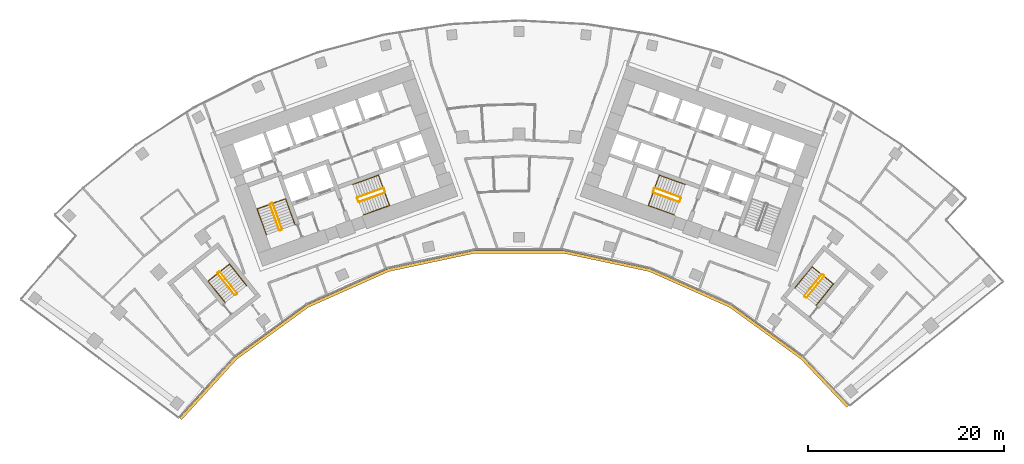
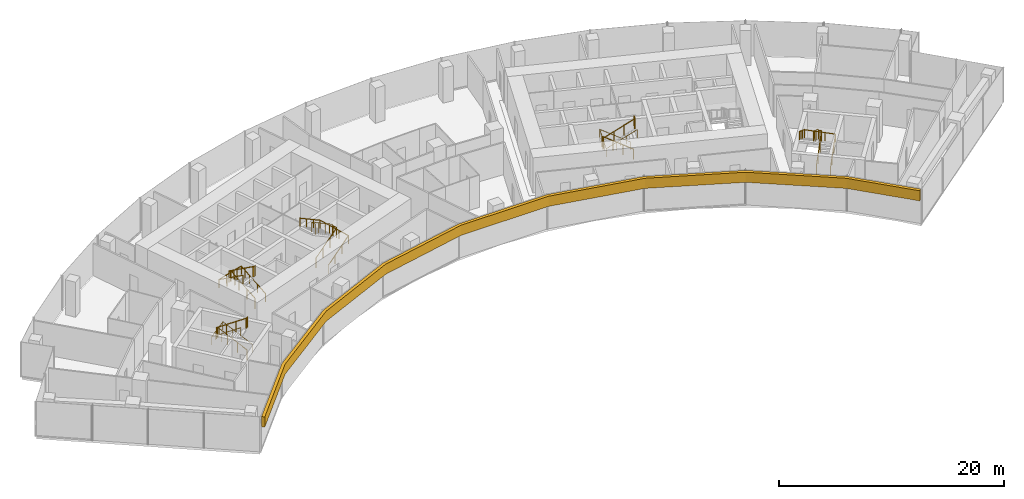
# One storey, part 20 of 21: 15 railings, 1 covering.
"""IFC4 building model written with IfcOpenShell, lengths in metres."""

from ifc_helpers import new_model, si_unit, direction, frame, origin, origin_2d, place, context, subcontext, project, spatial, polyline, circle, outline, extrude, material, layer, layer_set, type_object, element, save


model = new_model("IFC4")

# Units and contexts
model_context = context("Model", 3, precision=1e-05, world=origin(), true_north=direction((0.0, 1.0)))
body_context = subcontext(model_context, "Body", "Model", "MODEL_VIEW")
ifc_project = project(units=[si_unit("LENGTHUNIT", "METRE"), si_unit("AREAUNIT", "SQUARE_METRE"), si_unit("VOLUMEUNIT", "CUBIC_METRE"), si_unit("PLANEANGLEUNIT", "RADIAN"), si_unit("MASSUNIT", "GRAM", prefix="KILO")], contexts=[model_context])

# Site, building, storey
site_placement = place(None, origin())
site = spatial("IfcSite", under=ifc_project, at=site_placement, CompositionType="ELEMENT")
building_placement = place(site_placement, origin())
building = spatial("IfcBuilding", under=site, at=building_placement, Name="Stone Belt Terrace Tower", CompositionType="ELEMENT")
storey_placement = place(building_placement, frame((0.0, 0.0, 163.0)))
storey = spatial("IfcBuildingStorey", under=building, at=storey_placement, Name="L39", CompositionType="ELEMENT", Elevation=163.0)

# Railings
ifc_material_1 = material(Name="Structural steel C345", Category="steel")
railing_type_1 = type_object("IfcRailingType", Name="Stair guard 1100", PredefinedType="GUARDRAIL", material=ifc_material_1)
railing_1_placement = place(storey_placement, frame((-24.2119140625, 45.276123046875, 0.172607421875)))
element("IfcRailing", 1, at=railing_1_placement, inside=storey, type_object=railing_type_1, Name="L39 ST1A stair guard 1", PredefinedType="GUARDRAIL", context=body_context, shape_type="SweptSolid", body=[
    extrude(circle(Radius=0.02392578125, at=origin_2d()), frame((0.0, 0.0, 1.076171875), z_axis=(-0.288228637646, 0.800791768495, 0.525030280985), x_axis=(-0.940908529223, -0.338660803216, 0.0)), (0.0, 0.0, 1.0), 3.289794921875),
    extrude(circle(Radius=0.02392578125, at=origin_2d()), frame((-0.9482421875, 2.634521484375, 2.80322265625), z_axis=(-0.905209821074, 0.424964916, 0.0), x_axis=(-0.424964916, -0.905209821074, 0.0)), (0.0, 0.0, 1.0), 0.070556640625),
    extrude(circle(Radius=0.02392578125, at=origin_2d()), frame((-1.01220703125, 2.66455078125, 2.80322265625), z_axis=(-0.941105063269, -0.338114270461, 0.0), x_axis=(0.338114270461, -0.941105063269, 0.0)), (0.0, 0.0, 1.0), 0.199951171875),
    extrude(circle(Radius=0.02099609375, at=origin_2d()), origin(), (0.0, 0.0, 1.0), 1.052001953125),
    extrude(circle(Radius=0.02099609375, at=origin_2d()), frame((-0.316162109375, 0.878173828125, 0.57568359375)), (0.0, 0.0, 1.0), 1.052001953125),
    extrude(circle(Radius=0.02099609375, at=origin_2d()), frame((-0.632080078125, 1.75634765625, 1.151611328125)), (0.0, 0.0, 1.0), 1.052001953125),
    extrude(circle(Radius=0.02099609375, at=origin_2d()), frame((-0.9482421875, 2.634521484375, 1.727294921875)), (0.0, 0.0, 1.0), 1.052001953125),
    extrude(circle(Radius=0.02099609375, at=origin_2d()), frame((-1.01220703125, 2.66455078125, 1.727294921875)), (0.0, 0.0, 1.0), 1.052001953125),
    extrude(circle(Radius=0.02099609375, at=origin_2d()), frame((-1.200439453125, 2.596923828125, 1.727294921875)), (0.0, 0.0, 1.0), 1.052001953125),
])
railing_2_placement = place(storey_placement, frame((-25.4423828125, 47.80908203125, 2.07275390625)))
element("IfcRailing", 2, at=railing_2_placement, inside=storey, type_object=railing_type_1, Name="L39 ST1A stair guard 2", PredefinedType="GUARDRAIL", context=body_context, shape_type="SweptSolid", body=[
    extrude(circle(Radius=0.02392578125, at=origin_2d()), frame((0.0, 0.0, 1.076171875), z_axis=(0.288228637646, -0.800791768495, 0.525030280985), x_axis=(0.940908529223, 0.338660803216, 0.0)), (0.0, 0.0, 1.0), 3.289794921875),
    extrude(circle(Radius=0.02392578125, at=origin_2d()), frame((0.9482421875, -2.634521484375, 2.80322265625), z_axis=(0.903878284585, -0.427789722475, 0.0), x_axis=(0.427789722475, 0.903878284585, 0.0)), (0.0, 0.0, 1.0), 0.07080078125),
    extrude(circle(Radius=0.02392578125, at=origin_2d()), frame((1.01220703125, -2.664794921875, 2.80322265625), z_axis=(0.940575576748, 0.339584429008, 0.0), x_axis=(-0.339584429008, 0.940575576748, 0.0)), (0.0, 0.0, 1.0), 0.199951171875),
    extrude(circle(Radius=0.02099609375, at=origin_2d()), origin(), (0.0, 0.0, 1.0), 1.052001953125),
    extrude(circle(Radius=0.02099609375, at=origin_2d()), frame((0.316162109375, -0.878173828125, 0.57568359375)), (0.0, 0.0, 1.0), 1.052001953125),
    extrude(circle(Radius=0.02099609375, at=origin_2d()), frame((0.632080078125, -1.75634765625, 1.151611328125)), (0.0, 0.0, 1.0), 1.052001953125),
    extrude(circle(Radius=0.02099609375, at=origin_2d()), frame((0.9482421875, -2.634521484375, 1.727294921875)), (0.0, 0.0, 1.0), 1.052001953125),
    extrude(circle(Radius=0.02099609375, at=origin_2d()), frame((1.01220703125, -2.664794921875, 1.727294921875)), (0.0, 0.0, 1.0), 1.052001953125),
    extrude(circle(Radius=0.02099609375, at=origin_2d()), frame((1.2001953125, -2.596923828125, 1.727294921875)), (0.0, 0.0, 1.0), 1.052001953125),
])
railing_3_placement = place(storey_placement, frame((-16.33837890625, 48.056640625, 0.172607421875)))
element("IfcRailing", 3, at=railing_3_placement, inside=storey, type_object=railing_type_1, Name="L39 ST2A stair guard 1", PredefinedType="GUARDRAIL", context=body_context, shape_type="SweptSolid", body=[
    extrude(circle(Radius=0.02392578125, at=origin_2d()), frame((0.0, 0.0, 1.076171875), z_axis=(0.800808895155, 0.288160591223, 0.52504150989), x_axis=(-0.338583606334, 0.940936311087, 0.0)), (0.0, 0.0, 1.0), 3.289794921875),
    extrude(circle(Radius=0.02392578125, at=origin_2d()), frame((2.634521484375, 0.947998046875, 2.80322265625), z_axis=(0.427789722475, 0.903878284585, 0.0), x_axis=(-0.903878284585, 0.427789722475, 0.0)), (0.0, 0.0, 1.0), 0.07080078125),
    extrude(circle(Radius=0.02392578125, at=origin_2d()), frame((2.664794921875, 1.011962890625, 2.80322265625), z_axis=(-0.338654645739, 0.940910745459, 0.0), x_axis=(-0.940910745459, -0.338654645739, 0.0)), (0.0, 0.0, 1.0), 0.400146484375),
    extrude(circle(Radius=0.02099609375, at=origin_2d()), origin(), (0.0, 0.0, 1.0), 1.052001953125),
    extrude(circle(Radius=0.02099609375, at=origin_2d()), frame((0.878173828125, 0.31591796875, 0.57568359375)), (0.0, 0.0, 1.0), 1.052001953125),
    extrude(circle(Radius=0.02099609375, at=origin_2d()), frame((1.75634765625, 0.632080078125, 1.151611328125)), (0.0, 0.0, 1.0), 1.052001953125),
    extrude(circle(Radius=0.02099609375, at=origin_2d()), frame((2.634521484375, 0.947998046875, 1.727294921875)), (0.0, 0.0, 1.0), 1.052001953125),
    extrude(circle(Radius=0.02099609375, at=origin_2d()), frame((2.664794921875, 1.011962890625, 1.727294921875)), (0.0, 0.0, 1.0), 1.052001953125),
    extrude(circle(Radius=0.02099609375, at=origin_2d()), frame((2.529296875, 1.388427734375, 1.727294921875)), (0.0, 0.0, 1.0), 1.052001953125),
])
railing_4_placement = place(storey_placement, frame((-13.873046875, 49.47509765625, 2.07275390625)))
element("IfcRailing", 4, at=railing_4_placement, inside=storey, type_object=railing_type_1, Name="L39 ST2A stair guard 2", PredefinedType="GUARDRAIL", context=body_context, shape_type="SweptSolid", body=[
    extrude(circle(Radius=0.02392578125, at=origin_2d()), frame((0.0, 0.0, 1.076171875), z_axis=(-0.800808895155, -0.288160591223, 0.52504150989), x_axis=(0.338583606334, -0.940936311087, 0.0)), (0.0, 0.0, 1.0), 3.289794921875),
    extrude(circle(Radius=0.02392578125, at=origin_2d()), frame((-2.634521484375, -0.947998046875, 2.80322265625), z_axis=(-0.427789722475, -0.903878284585, 0.0), x_axis=(0.903878284585, -0.427789722475, 0.0)), (0.0, 0.0, 1.0), 0.07080078125),
    extrude(circle(Radius=0.02392578125, at=origin_2d()), frame((-2.664794921875, -1.011962890625, 2.80322265625), z_axis=(0.338654645739, -0.940910745459, 0.0), x_axis=(0.940910745459, 0.338654645739, 0.0)), (0.0, 0.0, 1.0), 0.400146484375),
    extrude(circle(Radius=0.02099609375, at=origin_2d()), origin(), (0.0, 0.0, 1.0), 1.052001953125),
    extrude(circle(Radius=0.02099609375, at=origin_2d()), frame((-0.878173828125, -0.31591796875, 0.57568359375)), (0.0, 0.0, 1.0), 1.052001953125),
    extrude(circle(Radius=0.02099609375, at=origin_2d()), frame((-1.75634765625, -0.632080078125, 1.151611328125)), (0.0, 0.0, 1.0), 1.052001953125),
    extrude(circle(Radius=0.02099609375, at=origin_2d()), frame((-2.634521484375, -0.947998046875, 1.727294921875)), (0.0, 0.0, 1.0), 1.052001953125),
    extrude(circle(Radius=0.02099609375, at=origin_2d()), frame((-2.664794921875, -1.011962890625, 1.727294921875)), (0.0, 0.0, 1.0), 1.052001953125),
    extrude(circle(Radius=0.02099609375, at=origin_2d()), frame((-2.529296875, -1.388427734375, 1.727294921875)), (0.0, 0.0, 1.0), 1.052001953125),
])
railing_5_placement = place(storey_placement, frame((16.507568359375, 48.527099609375, 0.172607421875)))
element("IfcRailing", 5, at=railing_5_placement, inside=storey, type_object=railing_type_1, Name="L39 ST2B stair guard 1", PredefinedType="GUARDRAIL", context=body_context, shape_type="SweptSolid", body=[
    extrude(circle(Radius=0.02392578125, at=origin_2d()), frame((0.0, 0.0, 1.076171875), z_axis=(-0.800808895155, 0.288160591223, 0.52504150989), x_axis=(-0.338583606334, -0.940936311087, 0.0)), (0.0, 0.0, 1.0), 3.289794921875),
    extrude(circle(Radius=0.02392578125, at=origin_2d()), frame((-2.634521484375, 0.947998046875, 2.80322265625), z_axis=(-0.905209821074, -0.424964916, 0.0), x_axis=(0.424964916, -0.905209821074, 0.0)), (0.0, 0.0, 1.0), 0.070556640625),
    extrude(circle(Radius=0.02392578125, at=origin_2d()), frame((-2.698486328125, 0.91796875, 2.80322265625), z_axis=(-0.338654645739, -0.940910745459, 0.0), x_axis=(0.940910745459, -0.338654645739, 0.0)), (0.0, 0.0, 1.0), 0.400146484375),
    extrude(circle(Radius=0.02099609375, at=origin_2d()), origin(), (0.0, 0.0, 1.0), 1.052001953125),
    extrude(circle(Radius=0.02099609375, at=origin_2d()), frame((-0.878173828125, 0.31591796875, 0.57568359375)), (0.0, 0.0, 1.0), 1.052001953125),
    extrude(circle(Radius=0.02099609375, at=origin_2d()), frame((-1.75634765625, 0.632080078125, 1.151611328125)), (0.0, 0.0, 1.0), 1.052001953125),
    extrude(circle(Radius=0.02099609375, at=origin_2d()), frame((-2.634521484375, 0.947998046875, 1.727294921875)), (0.0, 0.0, 1.0), 1.052001953125),
    extrude(circle(Radius=0.02099609375, at=origin_2d()), frame((-2.698486328125, 0.91796875, 1.727294921875)), (0.0, 0.0, 1.0), 1.052001953125),
    extrude(circle(Radius=0.02099609375, at=origin_2d()), frame((-2.833984375, 0.54150390625, 1.727294921875)), (0.0, 0.0, 1.0), 1.052001953125),
])
railing_6_placement = place(storey_placement, frame((13.703857421875, 49.004638671875, 2.07275390625)))
element("IfcRailing", 6, at=railing_6_placement, inside=storey, type_object=railing_type_1, Name="L39 ST2B stair guard 2", PredefinedType="GUARDRAIL", context=body_context, shape_type="SweptSolid", body=[
    extrude(circle(Radius=0.02392578125, at=origin_2d()), frame((0.0, 0.0, 1.076171875), z_axis=(0.800808895155, -0.288160591223, 0.52504150989), x_axis=(0.338583606334, 0.940936311087, 0.0)), (0.0, 0.0, 1.0), 3.289794921875),
    extrude(circle(Radius=0.02392578125, at=origin_2d()), frame((2.634521484375, -0.947998046875, 2.80322265625), z_axis=(0.905209821074, 0.424964916, 0.0), x_axis=(-0.424964916, 0.905209821074, 0.0)), (0.0, 0.0, 1.0), 0.070556640625),
    extrude(circle(Radius=0.02392578125, at=origin_2d()), frame((2.698486328125, -0.91796875, 2.80322265625), z_axis=(0.338654645739, 0.940910745459, 0.0), x_axis=(-0.940910745459, 0.338654645739, 0.0)), (0.0, 0.0, 1.0), 0.400146484375),
    extrude(circle(Radius=0.02099609375, at=origin_2d()), origin(), (0.0, 0.0, 1.0), 1.052001953125),
    extrude(circle(Radius=0.02099609375, at=origin_2d()), frame((0.878173828125, -0.31591796875, 0.57568359375)), (0.0, 0.0, 1.0), 1.052001953125),
    extrude(circle(Radius=0.02099609375, at=origin_2d()), frame((1.75634765625, -0.632080078125, 1.151611328125)), (0.0, 0.0, 1.0), 1.052001953125),
    extrude(circle(Radius=0.02099609375, at=origin_2d()), frame((2.634521484375, -0.947998046875, 1.727294921875)), (0.0, 0.0, 1.0), 1.052001953125),
    extrude(circle(Radius=0.02099609375, at=origin_2d()), frame((2.698486328125, -0.91796875, 1.727294921875)), (0.0, 0.0, 1.0), 1.052001953125),
    extrude(circle(Radius=0.02099609375, at=origin_2d()), frame((2.833984375, -0.54150390625, 1.727294921875)), (0.0, 0.0, 1.0), 1.052001953125),
])
railing_7_placement = place(storey_placement, frame((-28.814208984375, 38.734619140625, 0.172607421875)))
element("IfcRailing", 7, at=railing_7_placement, inside=storey, type_object=railing_type_1, Name="L39 ST3A stair guard 1", PredefinedType="GUARDRAIL", context=body_context, shape_type="SweptSolid", body=[
    extrude(circle(Radius=0.02392578125, at=origin_2d()), frame((0.0, 0.0, 1.076171875), z_axis=(-0.530306321799, 0.665665785969, 0.525037395288), x_axis=(-0.782143211408, -0.623098705543, 0.0)), (0.0, 0.0, 1.0), 3.289794921875),
    extrude(circle(Radius=0.02392578125, at=origin_2d()), frame((-1.74462890625, 2.18994140625, 2.80322265625), z_axis=(-0.993883734674, 0.110431526075, 0.0), x_axis=(-0.110431526075, -0.993883734674, 0.0)), (0.0, 0.0, 1.0), 0.07080078125),
    extrude(circle(Radius=0.02392578125, at=origin_2d()), frame((-1.81494140625, 2.19775390625, 2.80322265625), z_axis=(-0.782533463299, -0.622608527742, 0.0), x_axis=(0.622608527742, -0.782533463299, 0.0)), (0.0, 0.0, 1.0), 0.199951171875),
    extrude(circle(Radius=0.02099609375, at=origin_2d()), origin(), (0.0, 0.0, 1.0), 1.052001953125),
    extrude(circle(Radius=0.02099609375, at=origin_2d()), frame((-0.58154296875, 0.72998046875, 0.57568359375)), (0.0, 0.0, 1.0), 1.052001953125),
    extrude(circle(Radius=0.02099609375, at=origin_2d()), frame((-1.1630859375, 1.4599609375, 1.151611328125)), (0.0, 0.0, 1.0), 1.052001953125),
    extrude(circle(Radius=0.02099609375, at=origin_2d()), frame((-1.74462890625, 2.18994140625, 1.727294921875)), (0.0, 0.0, 1.0), 1.052001953125),
    extrude(circle(Radius=0.02099609375, at=origin_2d()), frame((-1.81494140625, 2.19775390625, 1.727294921875)), (0.0, 0.0, 1.0), 1.052001953125),
    extrude(circle(Radius=0.02099609375, at=origin_2d()), frame((-1.971435546875, 2.0732421875, 1.727294921875)), (0.0, 0.0, 1.0), 1.052001953125),
])
railing_8_placement = place(storey_placement, frame((-30.793701171875, 40.737548828125, 2.07275390625)))
element("IfcRailing", 8, at=railing_8_placement, inside=storey, type_object=railing_type_1, Name="L39 ST3A stair guard 2", PredefinedType="GUARDRAIL", context=body_context, shape_type="SweptSolid", body=[
    extrude(circle(Radius=0.02392578125, at=origin_2d()), frame((0.0, 0.0, 1.076171875), z_axis=(0.530359659125, -0.665639588968, 0.525016732659), x_axis=(0.782100716982, 0.62315204284, 0.0)), (0.0, 0.0, 1.0), 3.2900390625),
    extrude(circle(Radius=0.02392578125, at=origin_2d()), frame((1.744873046875, -2.18994140625, 2.80322265625), z_axis=(0.993499272973, -0.113838458361, 0.0), x_axis=(0.113838458361, 0.993499272973, 0.0)), (0.0, 0.0, 1.0), 0.07080078125),
    extrude(circle(Radius=0.02392578125, at=origin_2d()), frame((1.815185546875, -2.197998046875, 2.80322265625), z_axis=(0.781464082609, 0.623950228458, 0.0), x_axis=(-0.623950228458, 0.781464082609, 0.0)), (0.0, 0.0, 1.0), 0.199951171875),
    extrude(circle(Radius=0.02099609375, at=origin_2d()), origin(), (0.0, 0.0, 1.0), 1.052001953125),
    extrude(circle(Radius=0.02099609375, at=origin_2d()), frame((0.58154296875, -0.72998046875, 0.57568359375)), (0.0, 0.0, 1.0), 1.052001953125),
    extrude(circle(Radius=0.02099609375, at=origin_2d()), frame((1.163330078125, -1.4599609375, 1.151611328125)), (0.0, 0.0, 1.0), 1.052001953125),
    extrude(circle(Radius=0.02099609375, at=origin_2d()), frame((1.744873046875, -2.18994140625, 1.727294921875)), (0.0, 0.0, 1.0), 1.052001953125),
    extrude(circle(Radius=0.02099609375, at=origin_2d()), frame((1.815185546875, -2.197998046875, 1.727294921875)), (0.0, 0.0, 1.0), 1.052001953125),
    extrude(circle(Radius=0.02099609375, at=origin_2d()), frame((1.971435546875, -2.0732421875, 1.727294921875)), (0.0, 0.0, 1.0), 1.052001953125),
])
railing_9_placement = place(storey_placement, frame((29.39794921875, 38.281982421875, 0.172607421875)))
element("IfcRailing", 9, at=railing_9_placement, inside=storey, type_object=railing_type_1, Name="L39 ST3B stair guard 1", PredefinedType="GUARDRAIL", context=body_context, shape_type="SweptSolid", body=[
    extrude(circle(Radius=0.02392578125, at=origin_2d()), frame((0.0, 0.0, 1.076171875), z_axis=(0.536393061503, 0.660769759217, 0.525038864158), x_axis=(-0.776391310223, 0.630251166924, 0.0)), (0.0, 0.0, 1.0), 3.289794921875),
    extrude(circle(Radius=0.02392578125, at=origin_2d()), frame((1.7646484375, 2.173828125, 2.80322265625), z_axis=(-0.103251414163, 0.994655289773, 0.0), x_axis=(-0.994655289773, -0.103251414163, 0.0)), (0.0, 0.0, 1.0), 0.071044921875),
    extrude(circle(Radius=0.02392578125, at=origin_2d()), frame((1.75732421875, 2.244384765625, 2.80322265625), z_axis=(-0.776561986372, 0.630040856868, 0.0), x_axis=(-0.630040856868, -0.776561986372, 0.0)), (0.0, 0.0, 1.0), 0.199951171875),
    extrude(circle(Radius=0.02099609375, at=origin_2d()), origin(), (0.0, 0.0, 1.0), 1.052001953125),
    extrude(circle(Radius=0.02099609375, at=origin_2d()), frame((0.588134765625, 0.724609375, 0.57568359375)), (0.0, 0.0, 1.0), 1.052001953125),
    extrude(circle(Radius=0.02099609375, at=origin_2d()), frame((1.176513671875, 1.44921875, 1.151611328125)), (0.0, 0.0, 1.0), 1.052001953125),
    extrude(circle(Radius=0.02099609375, at=origin_2d()), frame((1.7646484375, 2.173828125, 1.727294921875)), (0.0, 0.0, 1.0), 1.052001953125),
    extrude(circle(Radius=0.02099609375, at=origin_2d()), frame((1.75732421875, 2.244384765625, 1.727294921875)), (0.0, 0.0, 1.0), 1.052001953125),
    extrude(circle(Radius=0.02099609375, at=origin_2d()), frame((1.60205078125, 2.370361328125, 1.727294921875)), (0.0, 0.0, 1.0), 1.052001953125),
])
railing_10_placement = place(storey_placement, frame((30.9296875, 40.64501953125, 2.07275390625)))
element("IfcRailing", 10, at=railing_10_placement, inside=storey, type_object=railing_type_1, Name="L39 ST3B stair guard 2", PredefinedType="GUARDRAIL", context=body_context, shape_type="SweptSolid", body=[
    extrude(circle(Radius=0.02392578125, at=origin_2d()), frame((0.0, 0.0, 1.076171875), z_axis=(-0.536366759382, -0.660811565066, 0.525013118792), x_axis=(0.776425942316, -0.630208502084, 0.0)), (0.0, 0.0, 1.0), 3.2900390625),
    extrude(circle(Radius=0.02392578125, at=origin_2d()), frame((-1.7646484375, -2.174072265625, 2.80322265625), z_axis=(0.103606084259, -0.994618408891, 0.0), x_axis=(0.994618408891, 0.103606084259, 0.0)), (0.0, 0.0, 1.0), 0.07080078125),
    extrude(circle(Radius=0.02392578125, at=origin_2d()), frame((-1.75732421875, -2.244384765625, 2.80322265625), z_axis=(0.776561986372, -0.630040856868, 0.0), x_axis=(0.630040856868, 0.776561986372, 0.0)), (0.0, 0.0, 1.0), 0.199951171875),
    extrude(circle(Radius=0.02099609375, at=origin_2d()), origin(), (0.0, 0.0, 1.0), 1.052001953125),
    extrude(circle(Radius=0.02099609375, at=origin_2d()), frame((-0.588134765625, -0.724609375, 0.57568359375)), (0.0, 0.0, 1.0), 1.052001953125),
    extrude(circle(Radius=0.02099609375, at=origin_2d()), frame((-1.176513671875, -1.449462890625, 1.151611328125)), (0.0, 0.0, 1.0), 1.052001953125),
    extrude(circle(Radius=0.02099609375, at=origin_2d()), frame((-1.7646484375, -2.174072265625, 1.727294921875)), (0.0, 0.0, 1.0), 1.052001953125),
    extrude(circle(Radius=0.02099609375, at=origin_2d()), frame((-1.75732421875, -2.244384765625, 1.727294921875)), (0.0, 0.0, 1.0), 1.052001953125),
    extrude(circle(Radius=0.02099609375, at=origin_2d()), frame((-1.60205078125, -2.370361328125, 1.727294921875)), (0.0, 0.0, 1.0), 1.052001953125),
])
railing_type_2 = type_object("IfcRailingType", Name="Stair handrail 900", PredefinedType="HANDRAIL", material=ifc_material_1)
railing_11_placement = place(storey_placement, frame((-22.894775390625, 45.750244140625, 0.172607421875)))
element("IfcRailing", 11, at=railing_11_placement, inside=storey, type_object=railing_type_2, Name="L39 ST1A stair handrail 1", PredefinedType="HANDRAIL", context=body_context, shape_type="SweptSolid", body=[
    extrude(circle(Radius=0.02392578125, at=origin_2d()), frame((0.0, 0.0, 0.8759765625), z_axis=(-0.288160591223, 0.800808895155, 0.52504150989), x_axis=(-0.940936311087, -0.338583606334, 0.0)), (0.0, 0.0, 1.0), 3.289794921875),
    extrude(circle(Radius=0.02392578125, at=origin_2d()), frame((-0.947998046875, 2.634521484375, 2.60302734375), z_axis=(-0.939460408074, -0.338105101667, 0.055669398135), x_axis=(0.338630230244, -0.940919532779, 0.0)), (0.0, 0.0, 1.0), 3.10498046875),
    extrude(circle(Radius=0.02392578125, at=origin_2d()), frame((-3.864990234375, 1.584716796875, 2.77587890625), z_axis=(0.288228637646, -0.800791768495, 0.525030280985), x_axis=(0.940908529223, 0.338660803216, 0.0)), (0.0, 0.0, 1.0), 3.289794921875),
    extrude(circle(Radius=0.02099609375, at=origin_2d()), origin(), (0.0, 0.0, 1.0), 0.851806640625),
    extrude(circle(Radius=0.02099609375, at=origin_2d()), frame((-0.31591796875, 0.878173828125, 0.57568359375)), (0.0, 0.0, 1.0), 0.851806640625),
    extrude(circle(Radius=0.02099609375, at=origin_2d()), frame((-0.632080078125, 1.75634765625, 1.151611328125)), (0.0, 0.0, 1.0), 0.851806640625),
    extrude(circle(Radius=0.02099609375, at=origin_2d()), frame((-0.947998046875, 2.634521484375, 1.727294921875)), (0.0, 0.0, 1.0), 0.851806640625),
    extrude(circle(Radius=0.02099609375, at=origin_2d()), frame((-1.92041015625, 2.28466796875, 1.784912109375)), (0.0, 0.0, 1.0), 0.851806640625),
    extrude(circle(Radius=0.02099609375, at=origin_2d()), frame((-2.892578125, 1.9345703125, 1.842529296875)), (0.0, 0.0, 1.0), 0.851806640625),
    extrude(circle(Radius=0.02099609375, at=origin_2d()), frame((-3.864990234375, 1.584716796875, 1.900146484375)), (0.0, 0.0, 1.0), 0.851806640625),
    extrude(circle(Radius=0.02099609375, at=origin_2d()), frame((-3.548828125, 0.70654296875, 2.475830078125)), (0.0, 0.0, 1.0), 0.851806640625),
    extrude(circle(Radius=0.02099609375, at=origin_2d()), frame((-3.23291015625, -0.171630859375, 3.0517578125)), (0.0, 0.0, 1.0), 0.851806640625),
    extrude(circle(Radius=0.02099609375, at=origin_2d()), frame((-2.916748046875, -1.0498046875, 3.62744140625)), (0.0, 0.0, 1.0), 0.851806640625),
])
railing_12_placement = place(storey_placement, frame((-15.8642578125, 46.7392578125, 0.172607421875)))
element("IfcRailing", 12, at=railing_12_placement, inside=storey, type_object=railing_type_2, Name="L39 ST2A stair handrail 1", PredefinedType="HANDRAIL", context=body_context, shape_type="SweptSolid", body=[
    extrude(circle(Radius=0.02392578125, at=origin_2d()), frame((0.0, 0.0, 0.8759765625), z_axis=(0.800791768495, 0.288228637646, 0.525030280985), x_axis=(-0.338660803216, 0.940908529223, 0.0)), (0.0, 0.0, 1.0), 3.289794921875),
    extrude(circle(Radius=0.02392578125, at=origin_2d()), frame((2.634521484375, 0.9482421875, 2.60302734375), z_axis=(-0.338158948057, 0.939634149308, 0.052308615955), x_axis=(-0.940922302781, -0.338622533404, 0.0)), (0.0, 0.0, 1.0), 3.304443359375),
    extrude(circle(Radius=0.02392578125, at=origin_2d()), frame((1.51708984375, 4.05322265625, 2.77587890625), z_axis=(-0.800791768495, -0.288228637646, 0.525030280985), x_axis=(0.338660803216, -0.940908529223, 0.0)), (0.0, 0.0, 1.0), 3.289794921875),
    extrude(circle(Radius=0.02099609375, at=origin_2d()), origin(), (0.0, 0.0, 1.0), 0.851806640625),
    extrude(circle(Radius=0.02099609375, at=origin_2d()), frame((0.878173828125, 0.316162109375, 0.57568359375)), (0.0, 0.0, 1.0), 0.851806640625),
    extrude(circle(Radius=0.02099609375, at=origin_2d()), frame((1.75634765625, 0.632080078125, 1.151611328125)), (0.0, 0.0, 1.0), 0.851806640625),
    extrude(circle(Radius=0.02099609375, at=origin_2d()), frame((2.634521484375, 0.9482421875, 1.727294921875)), (0.0, 0.0, 1.0), 0.851806640625),
    extrude(circle(Radius=0.02099609375, at=origin_2d()), frame((2.261962890625, 1.983154296875, 1.784912109375)), (0.0, 0.0, 1.0), 0.851806640625),
    extrude(circle(Radius=0.02099609375, at=origin_2d()), frame((1.8896484375, 3.018310546875, 1.842529296875)), (0.0, 0.0, 1.0), 0.851806640625),
    extrude(circle(Radius=0.02099609375, at=origin_2d()), frame((1.51708984375, 4.05322265625, 1.900146484375)), (0.0, 0.0, 1.0), 0.851806640625),
    extrude(circle(Radius=0.02099609375, at=origin_2d()), frame((0.638916015625, 3.737060546875, 2.475830078125)), (0.0, 0.0, 1.0), 0.851806640625),
    extrude(circle(Radius=0.02099609375, at=origin_2d()), frame((-0.2392578125, 3.421142578125, 3.0517578125)), (0.0, 0.0, 1.0), 0.851806640625),
    extrude(circle(Radius=0.02099609375, at=origin_2d()), frame((-1.117431640625, 3.10498046875, 3.62744140625)), (0.0, 0.0, 1.0), 0.851806640625),
])
railing_13_placement = place(storey_placement, frame((16.981689453125, 49.84423828125, 0.172607421875)))
element("IfcRailing", 13, at=railing_13_placement, inside=storey, type_object=railing_type_2, Name="L39 ST2B stair handrail 1", PredefinedType="HANDRAIL", context=body_context, shape_type="SweptSolid", body=[
    extrude(circle(Radius=0.02392578125, at=origin_2d()), frame((0.0, 0.0, 0.8759765625), z_axis=(-0.800791768495, 0.288228637646, 0.525030280985), x_axis=(-0.338660803216, -0.940908529223, 0.0)), (0.0, 0.0, 1.0), 3.289794921875),
    extrude(circle(Radius=0.02392578125, at=origin_2d()), frame((-2.634521484375, 0.9482421875, 2.60302734375), z_axis=(-0.338158948057, -0.939634149308, 0.052308615955), x_axis=(0.940922302781, -0.338622533404, 0.0)), (0.0, 0.0, 1.0), 3.304443359375),
    extrude(circle(Radius=0.02392578125, at=origin_2d()), frame((-3.751953125, -2.15673828125, 2.77587890625), z_axis=(0.800791768495, -0.288228637646, 0.525030280985), x_axis=(0.338660803216, 0.940908529223, 0.0)), (0.0, 0.0, 1.0), 3.289794921875),
    extrude(circle(Radius=0.02099609375, at=origin_2d()), origin(), (0.0, 0.0, 1.0), 0.851806640625),
    extrude(circle(Radius=0.02099609375, at=origin_2d()), frame((-0.878173828125, 0.316162109375, 0.57568359375)), (0.0, 0.0, 1.0), 0.851806640625),
    extrude(circle(Radius=0.02099609375, at=origin_2d()), frame((-1.75634765625, 0.632080078125, 1.151611328125)), (0.0, 0.0, 1.0), 0.851806640625),
    extrude(circle(Radius=0.02099609375, at=origin_2d()), frame((-2.634521484375, 0.9482421875, 1.727294921875)), (0.0, 0.0, 1.0), 0.851806640625),
    extrude(circle(Radius=0.02099609375, at=origin_2d()), frame((-3.007080078125, -0.086669921875, 1.784912109375)), (0.0, 0.0, 1.0), 0.851806640625),
    extrude(circle(Radius=0.02099609375, at=origin_2d()), frame((-3.37939453125, -1.121826171875, 1.842529296875)), (0.0, 0.0, 1.0), 0.851806640625),
    extrude(circle(Radius=0.02099609375, at=origin_2d()), frame((-3.751953125, -2.15673828125, 1.900146484375)), (0.0, 0.0, 1.0), 0.851806640625),
    extrude(circle(Radius=0.02099609375, at=origin_2d()), frame((-2.873779296875, -2.472900390625, 2.475830078125)), (0.0, 0.0, 1.0), 0.851806640625),
    extrude(circle(Radius=0.02099609375, at=origin_2d()), frame((-1.99560546875, -2.788818359375, 3.0517578125)), (0.0, 0.0, 1.0), 0.851806640625),
    extrude(circle(Radius=0.02099609375, at=origin_2d()), frame((-1.117431640625, -3.10498046875, 3.62744140625)), (0.0, 0.0, 1.0), 0.851806640625),
])
railing_14_placement = place(storey_placement, frame((-27.836669921875, 39.513427734375, 0.172607421875)))
element("IfcRailing", 14, at=railing_14_placement, inside=storey, type_object=railing_type_2, Name="L39 ST3A stair handrail 1", PredefinedType="HANDRAIL", context=body_context, shape_type="SweptSolid", body=[
    extrude(circle(Radius=0.02392578125, at=origin_2d()), frame((0.0, 0.0, 0.8759765625), z_axis=(-0.530306321799, 0.665665785969, 0.525037395288), x_axis=(-0.782143211408, -0.623098705543, 0.0)), (0.0, 0.0, 1.0), 3.289794921875),
    extrude(circle(Radius=0.02392578125, at=origin_2d()), frame((-1.74462890625, 2.18994140625, 2.60302734375), z_axis=(-0.78065703189, -0.621914732429, 0.061617076765), x_axis=(0.623098705543, -0.782143211408, 0.0)), (0.0, 0.0, 1.0), 2.80517578125),
    extrude(circle(Radius=0.02392578125, at=origin_2d()), frame((-3.9345703125, 0.4453125, 2.77587890625), z_axis=(0.530306321799, -0.665665785969, 0.525037395288), x_axis=(0.782143211408, 0.623098705543, 0.0)), (0.0, 0.0, 1.0), 3.289794921875),
    extrude(circle(Radius=0.02099609375, at=origin_2d()), origin(), (0.0, 0.0, 1.0), 0.851806640625),
    extrude(circle(Radius=0.02099609375, at=origin_2d()), frame((-0.58154296875, 0.72998046875, 0.57568359375)), (0.0, 0.0, 1.0), 0.851806640625),
    extrude(circle(Radius=0.02099609375, at=origin_2d()), frame((-1.1630859375, 1.4599609375, 1.151611328125)), (0.0, 0.0, 1.0), 0.851806640625),
    extrude(circle(Radius=0.02099609375, at=origin_2d()), frame((-1.74462890625, 2.18994140625, 1.727294921875)), (0.0, 0.0, 1.0), 0.851806640625),
    extrude(circle(Radius=0.02099609375, at=origin_2d()), frame((-2.474609375, 1.6083984375, 1.784912109375)), (0.0, 0.0, 1.0), 0.851806640625),
    extrude(circle(Radius=0.02099609375, at=origin_2d()), frame((-3.20458984375, 1.02685546875, 1.842529296875)), (0.0, 0.0, 1.0), 0.851806640625),
    extrude(circle(Radius=0.02099609375, at=origin_2d()), frame((-3.9345703125, 0.4453125, 1.900146484375)), (0.0, 0.0, 1.0), 0.851806640625),
    extrude(circle(Radius=0.02099609375, at=origin_2d()), frame((-3.35302734375, -0.28466796875, 2.475830078125)), (0.0, 0.0, 1.0), 0.851806640625),
    extrude(circle(Radius=0.02099609375, at=origin_2d()), frame((-2.771484375, -1.0146484375, 3.0517578125)), (0.0, 0.0, 1.0), 0.851806640625),
    extrude(circle(Radius=0.02099609375, at=origin_2d()), frame((-2.18994140625, -1.74462890625, 3.62744140625)), (0.0, 0.0, 1.0), 0.851806640625),
])
railing_15_placement = place(storey_placement, frame((30.36865234375, 37.494140625, 0.172607421875)))
element("IfcRailing", 15, at=railing_15_placement, inside=storey, type_object=railing_type_2, Name="L39 ST3B stair handrail 1", PredefinedType="HANDRAIL", context=body_context, shape_type="SweptSolid", body=[
    extrude(circle(Radius=0.02392578125, at=origin_2d()), frame((0.0, 0.0, 0.8759765625), z_axis=(0.536366759382, 0.660811565066, 0.525013118792), x_axis=(-0.776425942316, 0.630208502084, 0.0)), (0.0, 0.0, 1.0), 3.2900390625),
    extrude(circle(Radius=0.02392578125, at=origin_2d()), frame((1.7646484375, 2.174072265625, 2.60302734375), z_axis=(-0.774950814199, 0.629011171817, 0.061613158501), x_axis=(-0.630208502084, -0.776425942316, 0.0)), (0.0, 0.0, 1.0), 2.805419921875),
    extrude(circle(Radius=0.02392578125, at=origin_2d()), frame((-0.409423828125, 3.938720703125, 2.77587890625), z_axis=(-0.536366759382, -0.660811565066, 0.525013118792), x_axis=(0.776425942316, -0.630208502084, 0.0)), (0.0, 0.0, 1.0), 3.2900390625),
    extrude(circle(Radius=0.02099609375, at=origin_2d()), origin(), (0.0, 0.0, 1.0), 0.851806640625),
    extrude(circle(Radius=0.02099609375, at=origin_2d()), frame((0.588134765625, 0.724609375, 0.57568359375)), (0.0, 0.0, 1.0), 0.851806640625),
    extrude(circle(Radius=0.02099609375, at=origin_2d()), frame((1.176513671875, 1.449462890625, 1.151611328125)), (0.0, 0.0, 1.0), 0.851806640625),
    extrude(circle(Radius=0.02099609375, at=origin_2d()), frame((1.7646484375, 2.174072265625, 1.727294921875)), (0.0, 0.0, 1.0), 0.851806640625),
    extrude(circle(Radius=0.02099609375, at=origin_2d()), frame((1.0400390625, 2.76220703125, 1.784912109375)), (0.0, 0.0, 1.0), 0.851806640625),
    extrude(circle(Radius=0.02099609375, at=origin_2d()), frame((0.315185546875, 3.3505859375, 1.842529296875)), (0.0, 0.0, 1.0), 0.851806640625),
    extrude(circle(Radius=0.02099609375, at=origin_2d()), frame((-0.409423828125, 3.938720703125, 1.900146484375)), (0.0, 0.0, 1.0), 0.851806640625),
    extrude(circle(Radius=0.02099609375, at=origin_2d()), frame((-0.99755859375, 3.214111328125, 2.475830078125)), (0.0, 0.0, 1.0), 0.851806640625),
    extrude(circle(Radius=0.02099609375, at=origin_2d()), frame((-1.5859375, 2.4892578125, 3.0517578125)), (0.0, 0.0, 1.0), 0.851806640625),
    extrude(circle(Radius=0.02099609375, at=origin_2d()), frame((-2.174072265625, 1.7646484375, 3.62744140625)), (0.0, 0.0, 1.0), 0.851806640625),
])

# Covering
ifc_material_2 = material(Name="Terracotta coloured glazed ceramic", Category="masonry")
ifc_layer = layer(ifc_material_2, 0.300048828125)
ifc_layer_set = layer_set([ifc_layer], Name="Terracotta spandrel band 300 x 1100")
covering_type = type_object("IfcCoveringType", Name="Terracotta spandrel band 300 x 1100", PredefinedType="CLADDING", material=ifc_layer_set)
covering_placement = place(storey_placement, frame((0.0, 0.0, 2.699951171875)))
element("IfcCovering", 16, at=covering_placement, inside=storey, type_object=covering_type, Name="BAND L39", PredefinedType="CLADDING", context=body_context, shape_type="SweptSolid", body=[
    extrude(outline(polyline([(-34.688720703125, 25.99951171875), (-29.0068359375, 32.21435546875), (-21.674560546875, 37.54150390625), (-13.395751953125, 41.2275390625), (-4.53125, 43.11181640625), (4.53125, 43.11181640625), (13.395751953125, 41.2275390625), (21.674560546875, 37.54150390625), (29.0078125, 32.213623046875), (33.71875, 27.245361328125), (33.5009765625, 27.0390625), (28.80908203125, 31.987060546875), (21.523681640625, 37.2802734375), (13.302490234375, 40.940673828125), (4.499755859375, 42.811767578125), (-4.499755859375, 42.811767578125), (-13.302490234375, 40.940673828125), (-21.523681640625, 37.2802734375), (-28.805908203125, 31.989501953125), (-34.46728515625, 25.797119140625), (-34.688720703125, 25.99951171875)])), origin(), (0.0, 0.0, 1.0), 1.10009765625),
])

save(model, "model.ifc")
